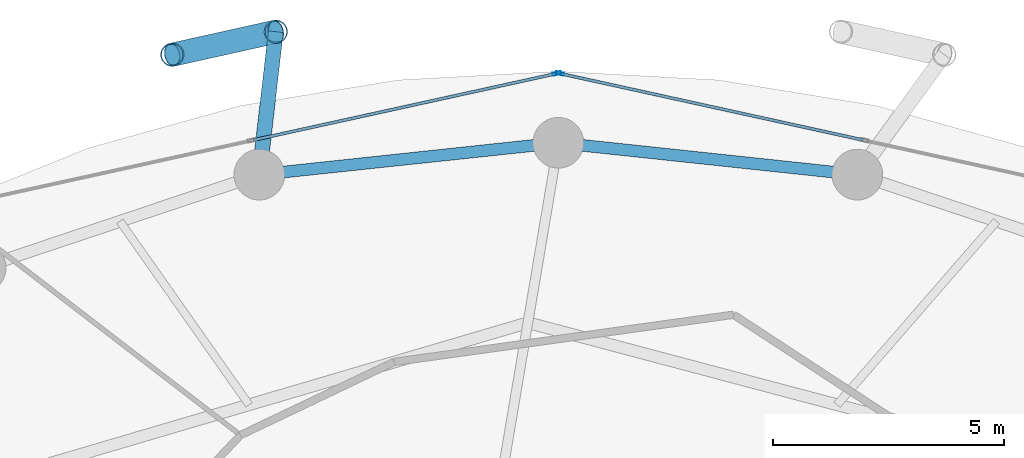
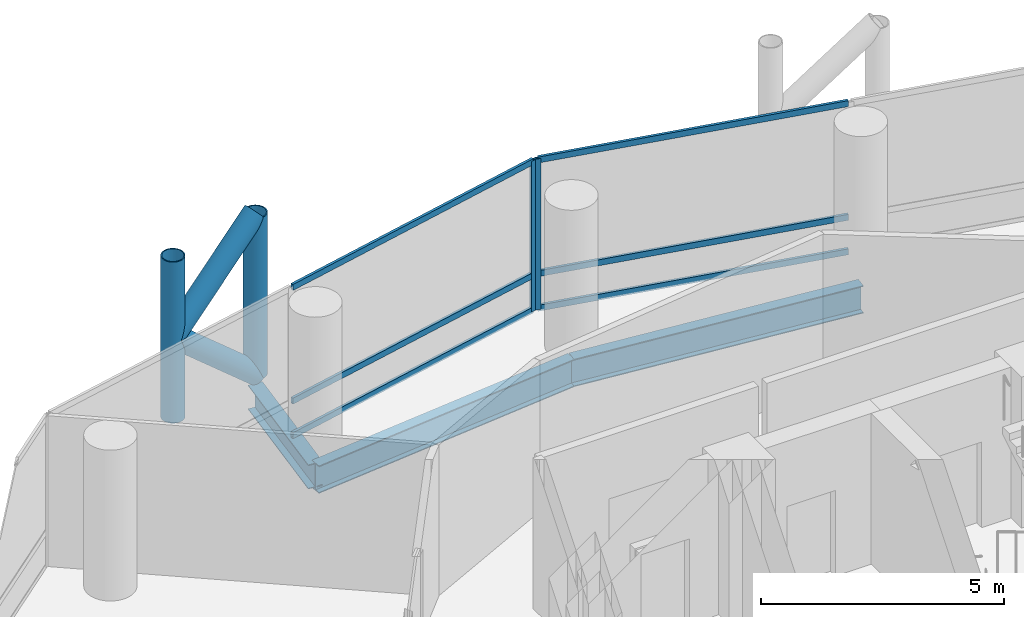
# One storey, part 16 of 24: 12 members, 3 beams, 2 elements without a shape of their own.
"""IFC4 building model written with IfcOpenShell, lengths in metres."""

from ifc_helpers import new_model, si_unit, direction, frame, origin, origin_2d, place, context, subcontext, project, spatial, hollow_rectangle, hollow_circle, i_section, extrude, material, layer, layer_set, material_profile, profile_set, type_object, element, aggregate, save


model = new_model("IFC4")

# Units and contexts
model_context = context("Model", 3, precision=1e-05, world=origin(), true_north=direction((0.0, 1.0)))
body_context = subcontext(model_context, "Body", "Model", "MODEL_VIEW")
ifc_project = project(units=[si_unit("LENGTHUNIT", "METRE"), si_unit("AREAUNIT", "SQUARE_METRE"), si_unit("VOLUMEUNIT", "CUBIC_METRE"), si_unit("PLANEANGLEUNIT", "RADIAN"), si_unit("MASSUNIT", "GRAM", prefix="KILO")], contexts=[model_context])

# Site, building, storey
site_placement = place(None, origin())
site = spatial("IfcSite", under=ifc_project, at=site_placement, CompositionType="ELEMENT")
building_placement = place(site_placement, origin())
building = spatial("IfcBuilding", under=site, at=building_placement, Name="Nuhasar Tower", CompositionType="ELEMENT")
storey_placement = place(building_placement, frame((0.0, 0.0, 41.25)))
storey = spatial("IfcBuildingStorey", under=building, at=storey_placement, Name="L09", CompositionType="ELEMENT", Elevation=41.25)

# Beams
ifc_material_1 = material(Name="Steel S355", Category="steel")
ifc_material_profile_1 = material_profile(ifc_material_1, i_section(OverallWidth=0.256103515625, OverallDepth=0.693115234375, WebThickness=0.014404296875, FlangeThickness=0.023681640625, at=origin_2d()), Name="W27X114")
ifc_profile_set_1 = profile_set([ifc_material_profile_1], Name="Steel S355")
beam_type_1 = type_object("IfcBeamType", Name="BM-RING-W27X114", PredefinedType="SPANDREL", material=ifc_profile_set_1)
for number, where, z_axis, x_axis, name in (
    (1, (45.48291015625, 46.360107421875, -0.60595703125), (-0.994384554061, 0.105827022286, 0.0), (-0.105827022286, -0.994384554061, 0.0), "L09 Perimeter Ring Spandrel 06"),
    (2, (39.0, 47.050048828125, -0.60595703125), (-0.994384554061, -0.105827022286, 0.0), (0.105827022286, -0.994384554061, 0.0), "L09 Perimeter Ring Spandrel 07"),
):
    element("IfcBeam", number, at=place(storey_placement, frame(where, z_axis=z_axis, x_axis=x_axis)), inside=storey, type_object=beam_type_1, Name=name, PredefinedType="SPANDREL", context=body_context, shape_type="SweptSolid", body=[
        extrude(i_section(OverallWidth=0.256103515625, OverallDepth=0.693115234375, WebThickness=0.014404296875, FlangeThickness=0.023681640625, at=origin_2d()), origin(), (0.0, 0.0, 1.0), 6.51953125),
    ])
ifc_material_profile_2 = material_profile(ifc_material_1, i_section(OverallWidth=0.323974609375, OverallDepth=0.611083984375, WebThickness=0.0126953125, FlangeThickness=0.01904296875, at=origin_2d()), Name="W24X104")
ifc_profile_set_2 = profile_set([ifc_material_profile_2], Name="Steel S355")
beam_type_2 = type_object("IfcBeamType", Name="BM-TIE-W24X104", PredefinedType="BEAM", material=ifc_profile_set_2)
beam_placement = place(storey_placement, frame((32.51708984375, 46.360107421875, -0.56591796875), z_axis=(0.115042934281, 0.993360520291, 0.0), x_axis=(-0.993360520291, 0.115042934281, 0.0)))
element("IfcBeam", 3, at=beam_placement, inside=storey, type_object=beam_type_2, Name="L09 Exoskeleton Node Tie Beam 04", PredefinedType="BEAM", context=body_context, shape_type="SweptSolid", body=[
    extrude(i_section(OverallWidth=0.323974609375, OverallDepth=0.611083984375, WebThickness=0.0126953125, FlangeThickness=0.01904296875, at=origin_2d()), origin(), (0.0, 0.0, 1.0), 3.11962890625),
])

# Curtain wall, member
ifc_material_2 = material(Name="Aluminium 6063-T6", Category="aluminium")
ifc_layer = layer(ifc_material_2, 0.199951171875)
ifc_layer_set = layer_set([ifc_layer], Name="Aluminium 6063-T6")
curtain_wall_type = type_object("IfcCurtainWallType", Name="CW-Z1-OFF", PredefinedType="NOTDEFINED", material=ifc_layer_set)
curtain_wall_1_placement = place(storey_placement, origin())
curtain_wall_1 = element("IfcCurtainWall", 4, at=curtain_wall_1_placement, inside=storey, type_object=curtain_wall_type, Name="L09 Unitised Curtain Wall 03", PredefinedType="NOTDEFINED")
ifc_material_profile_3 = material_profile(ifc_material_2, hollow_rectangle(XDim=0.06494140625, YDim=0.179931640625, WallThickness=0.0048828125, at=origin_2d()), Name="CWM-2")
ifc_profile_set_3 = profile_set([ifc_material_profile_3], Name="Aluminium 6063-T6")
member_type_1 = type_object("IfcMemberType", Name="CW-MUL-S2", PredefinedType="MULLION", material=ifc_profile_set_3)
member_1_placement = place(storey_placement, frame((39.03173828125, 48.552978515625, 0.0), z_axis=(0.0, 0.0, 1.0), x_axis=(-0.214398737637, -0.976746221544, 0.0)))
member_1 = element("IfcMember", 5, at=member_1_placement, type_object=member_type_1, Name="CW-Z1 mullion 3", PredefinedType="MULLION", context=body_context, shape_type="SweptSolid", body=[
    extrude(hollow_rectangle(XDim=0.06494140625, YDim=0.179931640625, WallThickness=0.0048828125, at=origin_2d()), origin(), (0.0, 0.0, 1.0), 3.7900390625),
])

curtain_wall_2_placement = place(storey_placement, origin())
curtain_wall_2 = element("IfcCurtainWall", 6, at=curtain_wall_2_placement, inside=storey, type_object=curtain_wall_type, Name="L09 Unitised Curtain Wall 04", PredefinedType="NOTDEFINED")
member_2_placement = place(storey_placement, frame((38.96826171875, 48.552978515625, 0.0), z_axis=(0.0, 0.0, 1.0), x_axis=(0.214398737637, -0.976746221544, 0.0)))
member_2 = element("IfcMember", 7, at=member_2_placement, type_object=member_type_1, Name="CW-Z1 mullion 1", PredefinedType="MULLION", context=body_context, shape_type="SweptSolid", body=[
    extrude(hollow_rectangle(XDim=0.06494140625, YDim=0.179931640625, WallThickness=0.0048828125, at=origin_2d()), origin(), (0.0, 0.0, 1.0), 3.7900390625),
])

# Member
ifc_material_profile_4 = material_profile(ifc_material_2, hollow_rectangle(XDim=0.06494140625, YDim=0.14990234375, WallThickness=0.00439453125, at=origin_2d()), Name="CWT-2")
ifc_profile_set_4 = profile_set([ifc_material_profile_4], Name="Aluminium 6063-T6")
member_type_2 = type_object("IfcMemberType", Name="CW-TRN-S2", PredefinedType="USERDEFINED", material=ifc_profile_set_4)
member_3_placement = place(storey_placement, frame((45.608154296875, 47.109375, 0.032470703125), z_axis=(-0.976740248595, 0.214425947065, 0.0), x_axis=(-0.214425947065, -0.976740248595, 0.0)))
member_3 = element("IfcMember", 8, at=member_3_placement, type_object=member_type_2, Name="CW-Z1 transom 2.1", ObjectType="TRANSOM", PredefinedType="USERDEFINED", context=body_context, shape_type="SweptSolid", body=[
    extrude(hollow_rectangle(XDim=0.06494140625, YDim=0.14990234375, WallThickness=0.00439453125, at=origin_2d()), origin(), (0.0, 0.0, 1.0), 6.700439453125),
])

member_4_placement = place(storey_placement, frame((45.608154296875, 47.109375, 0.89990234375), z_axis=(-0.976740248595, 0.214425947065, 0.0), x_axis=(-0.214425947065, -0.976740248595, 0.0)))
member_4 = element("IfcMember", 9, at=member_4_placement, type_object=member_type_2, Name="CW-Z1 transom 2.2", ObjectType="TRANSOM", PredefinedType="USERDEFINED", context=body_context, shape_type="SweptSolid", body=[
    extrude(hollow_rectangle(XDim=0.06494140625, YDim=0.14990234375, WallThickness=0.00439453125, at=origin_2d()), origin(), (0.0, 0.0, 1.0), 6.700439453125),
])

member_5_placement = place(storey_placement, frame((45.608154296875, 47.109375, 3.757568359375), z_axis=(-0.976740248595, 0.214425947065, 0.0), x_axis=(-0.214425947065, -0.976740248595, 0.0)))
member_5 = element("IfcMember", 10, at=member_5_placement, type_object=member_type_2, Name="CW-Z1 transom 2.3", ObjectType="TRANSOM", PredefinedType="USERDEFINED", context=body_context, shape_type="SweptSolid", body=[
    extrude(hollow_rectangle(XDim=0.06494140625, YDim=0.14990234375, WallThickness=0.00439453125, at=origin_2d()), origin(), (0.0, 0.0, 1.0), 6.700439453125),
])

aggregate(curtain_wall_1, [member_1, member_3, member_4, member_5])

member_6_placement = place(storey_placement, frame((38.9365234375, 48.546142578125, 0.032470703125), z_axis=(-0.976740248595, -0.214425947065, 0.0), x_axis=(0.214425947065, -0.976740248595, 0.0)))
member_6 = element("IfcMember", 11, at=member_6_placement, type_object=member_type_2, Name="CW-Z1 transom 1.1", ObjectType="TRANSOM", PredefinedType="USERDEFINED", context=body_context, shape_type="SweptSolid", body=[
    extrude(hollow_rectangle(XDim=0.06494140625, YDim=0.14990234375, WallThickness=0.00439453125, at=origin_2d()), origin(), (0.0, 0.0, 1.0), 6.700439453125),
])

member_7_placement = place(storey_placement, frame((38.9365234375, 48.546142578125, 0.89990234375), z_axis=(-0.976740248595, -0.214425947065, 0.0), x_axis=(0.214425947065, -0.976740248595, 0.0)))
member_7 = element("IfcMember", 12, at=member_7_placement, type_object=member_type_2, Name="CW-Z1 transom 1.2", ObjectType="TRANSOM", PredefinedType="USERDEFINED", context=body_context, shape_type="SweptSolid", body=[
    extrude(hollow_rectangle(XDim=0.06494140625, YDim=0.14990234375, WallThickness=0.00439453125, at=origin_2d()), origin(), (0.0, 0.0, 1.0), 6.700439453125),
])

member_8_placement = place(storey_placement, frame((38.9365234375, 48.546142578125, 3.757568359375), z_axis=(-0.976740248595, -0.214425947065, 0.0), x_axis=(0.214425947065, -0.976740248595, 0.0)))
member_8 = element("IfcMember", 13, at=member_8_placement, type_object=member_type_2, Name="CW-Z1 transom 1.3", ObjectType="TRANSOM", PredefinedType="USERDEFINED", context=body_context, shape_type="SweptSolid", body=[
    extrude(hollow_rectangle(XDim=0.06494140625, YDim=0.14990234375, WallThickness=0.00439453125, at=origin_2d()), origin(), (0.0, 0.0, 1.0), 6.700439453125),
])

aggregate(curtain_wall_2, [member_2, member_6, member_7, member_8])

# Members
ifc_material_3 = material(Name="Steel S460", Category="steel")
ifc_material_profile_5 = material_profile(ifc_material_3, hollow_circle(Radius=0.25390625, WallThickness=0.025390625, at=origin_2d()), Name="HSS508X25.4")
ifc_profile_set_5 = profile_set([ifc_material_profile_5], Name="Steel S460")
member_type_3 = type_object("IfcMemberType", Name="EXO-BRONZE-508", PredefinedType="BRACE", material=ifc_profile_set_5)
for number, where, z_axis, x_axis, name in (
    (14, (32.8759765625, 49.458984375, 0.0), (0.0, 0.0, 1.0), (1.0, 0.0, 0.0), "L09 Exoskeleton Chord Column EC-04A"),
    (15, (30.6298828125, 48.9599609375, 0.0), (0.0, 0.0, 1.0), (1.0, 0.0, 0.0), "L09 Exoskeleton Chord Column EC-04B"),
):
    element("IfcMember", number, at=place(storey_placement, frame(where, z_axis=z_axis, x_axis=x_axis)), inside=storey, type_object=member_type_3, Name=name, PredefinedType="BRACE", context=body_context, shape_type="SweptSolid", body=[
        extrude(hollow_circle(Radius=0.25390625, WallThickness=0.025390625, at=origin_2d()), origin(), (0.0, 0.0, 1.0), 4.050048828125),
    ])
member_9_placement = place(storey_placement, frame((32.8759765625, 49.458984375, 0.0), z_axis=(-0.732821471909, -0.162813813976, 0.660654487828), x_axis=(0.216885517571, -0.97619704582, 0.0)))
element("IfcMember", 16, at=member_9_placement, inside=storey, type_object=member_type_3, Name="L09 Bronze Diagrid Brace W1-04", PredefinedType="BRACE", context=body_context, shape_type="SweptSolid", body=[
    extrude(hollow_circle(Radius=0.25390625, WallThickness=0.025390625, at=origin_2d()), origin(), (0.0, 0.0, 1.0), 3.06494140625),
])
member_10_placement = place(storey_placement, frame((30.6298828125, 48.9599609375, 2.02490234375), z_axis=(0.732782908552, 0.162805246204, 0.660699372439), x_axis=(-0.216885517571, 0.97619704582, 0.0)))
element("IfcMember", 17, at=member_10_placement, inside=storey, type_object=member_type_3, Name="L09 Bronze Diagrid Brace W2-04", PredefinedType="BRACE", context=body_context, shape_type="SweptSolid", body=[
    extrude(hollow_circle(Radius=0.25390625, WallThickness=0.025390625, at=origin_2d()), origin(), (0.0, 0.0, 1.0), 3.065185546875),
])

save(model, "model.ifc")
